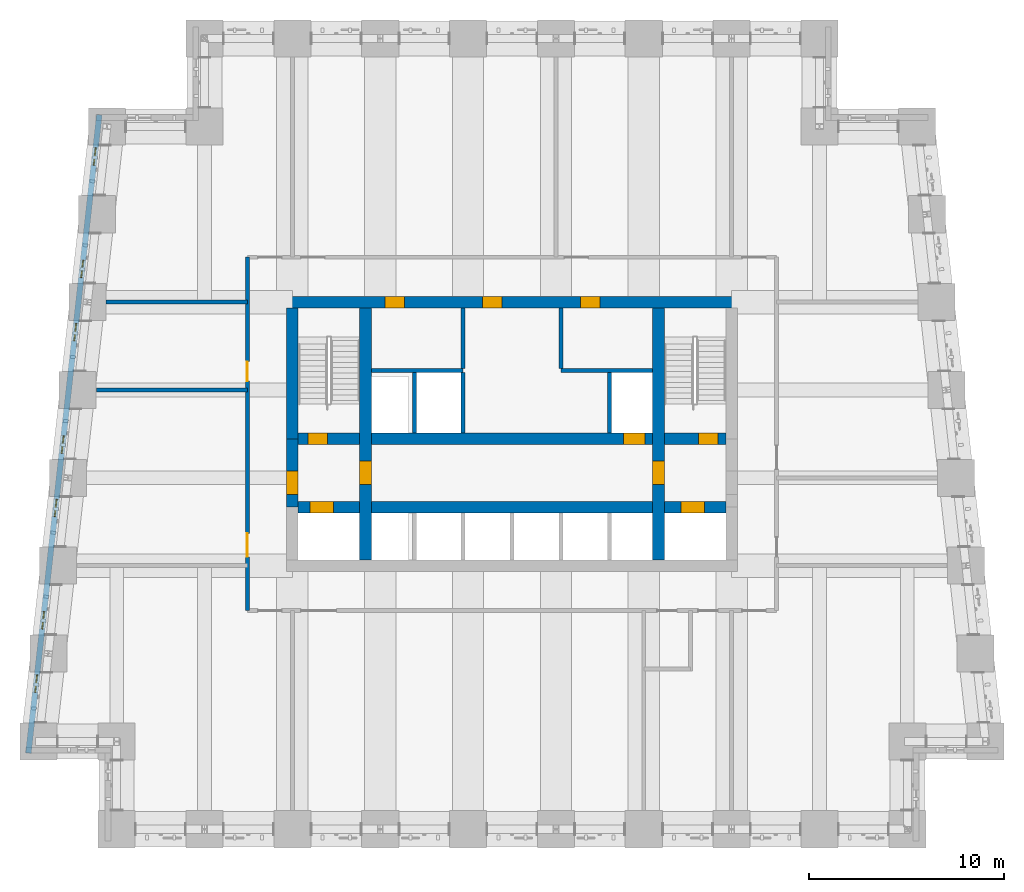
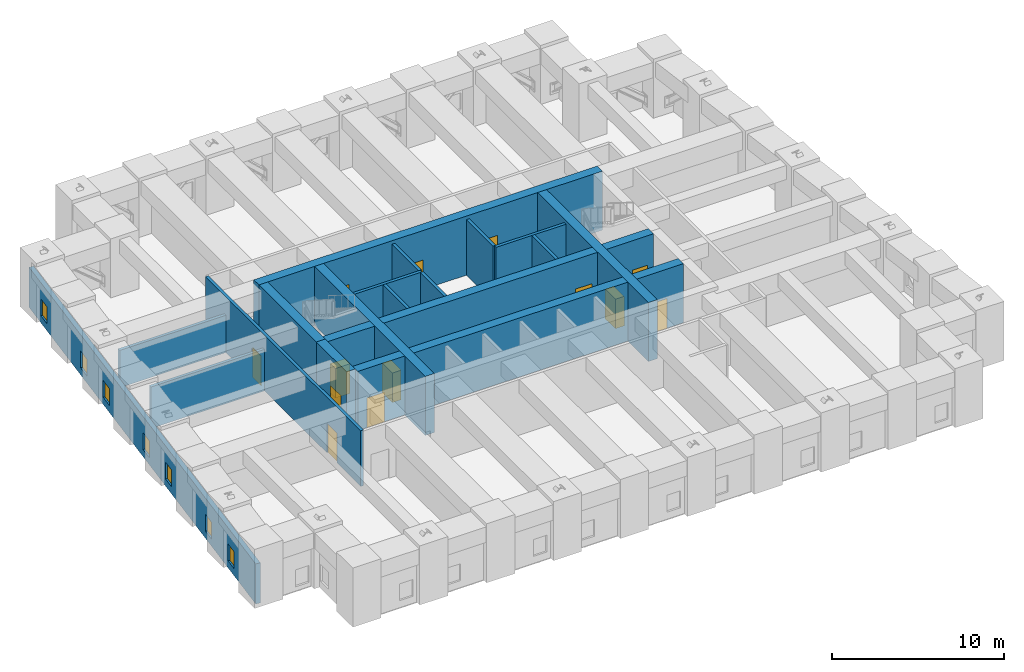
# One storey, part 3 of 16: 18 walls, 13 doors, 7 windows, 20 openings.
"""IFC4 building model written with IfcOpenShell, lengths in metres."""

from ifc_helpers import new_model, si_unit, direction, frame, frame_2d, origin, place, context, subcontext, project, spatial, rectangle, extrude, material, layer, layer_set, type_object, element, fill, save


model = new_model("IFC4")

# Units and contexts
model_context = context("Model", 3, precision=1e-05, world=origin(), true_north=direction((0.0, 1.0)))
body_context = subcontext(model_context, "Body", "Model", "MODEL_VIEW")
ifc_project = project(units=[si_unit("LENGTHUNIT", "METRE"), si_unit("AREAUNIT", "SQUARE_METRE"), si_unit("VOLUMEUNIT", "CUBIC_METRE"), si_unit("PLANEANGLEUNIT", "RADIAN"), si_unit("MASSUNIT", "GRAM", prefix="KILO")], contexts=[model_context])

# Site, building, storey
site_placement = place(None, origin())
site = spatial("IfcSite", under=ifc_project, at=site_placement, CompositionType="ELEMENT")
building_placement = place(site_placement, origin())
building = spatial("IfcBuilding", under=site, at=building_placement, Name="Kilele Tower Hotel", CompositionType="ELEMENT")
storey_placement = place(building_placement, frame((0.0, 0.0, 85.699951171875)))
storey = spatial("IfcBuildingStorey", under=building, at=storey_placement, Name="L21", CompositionType="ELEMENT", Elevation=85.699951171875)

# Wall, openings, doors
ifc_material_1 = material(Name="Concrete C60/75", Category="concrete")
ifc_layer_1 = layer(ifc_material_1, 0.60009765625)
ifc_layer_set_1 = layer_set([ifc_layer_1], Name="Concrete C60/75")
wall_type_1 = type_object("IfcWallType", Name="Core wall 600 C60/75", PredefinedType="SHEAR", material=ifc_layer_set_1)
wall_1_placement = place(storey_placement, frame((36.300048828125, 27.0, 0.0), z_axis=(0.0, 0.0, 1.0), x_axis=(-1.0, 0.0, 0.0)))
wall_1 = element("IfcWall", 1, at=wall_1_placement, inside=storey, type_object=wall_type_1, Name="Core wall N L21", PredefinedType="SHEAR", context=body_context, shape_type="SweptSolid", body=[
    extrude(rectangle(XDim=23.10009765625, YDim=0.60009765625, at=frame_2d((11.550048828125, 0.0))), origin(), (0.0, 0.0, 1.0), 4.199951171875),
])
opening_1_placement = place(wall_1_placement, frame((17.050048828125, 0.0, 0.0)))
opening_1 = element("IfcOpeningElement", 2, at=opening_1_placement, cuts=wall_1, Name="Opening D6", PredefinedType="OPENING", context=body_context, shape_type="SweptSolid", body=[
    extrude(rectangle(XDim=1.0, YDim=2.10009765625, at=frame_2d((0.5, 1.050048828125))), frame((0.0, 0.31005859375, 0.0), z_axis=(0.0, -1.0, 0.0), x_axis=(1.0, 0.0, 0.0)), (0.0, 0.0, 1.0), 0.6201171875),
])
opening_2_placement = place(wall_1_placement, frame((12.050048828125, 0.0, 0.0)))
opening_2 = element("IfcOpeningElement", 3, at=opening_2_placement, cuts=wall_1, Name="Opening D6", PredefinedType="OPENING", context=body_context, shape_type="SweptSolid", body=[
    extrude(rectangle(XDim=1.0, YDim=2.10009765625, at=frame_2d((0.5, 1.050048828125))), frame((0.0, 0.31005859375, 0.0), z_axis=(0.0, -1.0, 0.0), x_axis=(1.0, 0.0, 0.0)), (0.0, 0.0, 1.0), 0.6201171875),
])
opening_3_placement = place(wall_1_placement, frame((7.050048828125, 0.0, 0.0)))
opening_3 = element("IfcOpeningElement", 4, at=opening_3_placement, cuts=wall_1, Name="Opening D6", PredefinedType="OPENING", context=body_context, shape_type="SweptSolid", body=[
    extrude(rectangle(XDim=1.0, YDim=2.10009765625, at=frame_2d((0.5, 1.050048828125))), frame((0.0, 0.31005859375, 0.0), z_axis=(0.0, -1.0, 0.0), x_axis=(1.0, 0.0, 0.0)), (0.0, 0.0, 1.0), 0.6201171875),
])
ifc_material_2 = material(Name="Timber door leaf in hardwood frame", Category="wood")
door_type_1 = type_object("IfcDoorType", Name="Riser door 1000", OperationType="SINGLE_SWING_LEFT", PredefinedType="DOOR", material=ifc_material_2)
door_1_placement = place(opening_1_placement, origin())
door_1 = element("IfcDoor", 5, at=door_1_placement, inside=storey, type_object=door_type_1, Name="Service riser door L21", OperationType="SINGLE_SWING_RIGHT", OverallHeight=2.10009765625, OverallWidth=1.0, PredefinedType="DOOR", context=body_context, shape_type="SweptSolid", body=[
    extrude(rectangle(XDim=1.0, YDim=2.10009765625, at=frame_2d((0.5, 1.050048828125))), frame((0.0, 0.2998046875, 0.0), z_axis=(0.0, -1.0, 0.0), x_axis=(1.0, 0.0, 0.0)), (0.0, 0.0, 1.0), 0.599609375),
])
fill(opening_1, door_1)
door_2_placement = place(opening_2_placement, origin())
door_2 = element("IfcDoor", 6, at=door_2_placement, inside=storey, type_object=door_type_1, Name="Plant store door L21", OperationType="SINGLE_SWING_RIGHT", OverallHeight=2.10009765625, OverallWidth=1.0, PredefinedType="DOOR", context=body_context, shape_type="SweptSolid", body=[
    extrude(rectangle(XDim=1.0, YDim=2.10009765625, at=frame_2d((0.5, 1.050048828125))), frame((0.0, 0.2998046875, 0.0), z_axis=(0.0, -1.0, 0.0), x_axis=(1.0, 0.0, 0.0)), (0.0, 0.0, 1.0), 0.599609375),
])
fill(opening_2, door_2)
door_3_placement = place(opening_3_placement, origin())
door_3 = element("IfcDoor", 7, at=door_3_placement, inside=storey, type_object=door_type_1, Name="Electrical riser door L21", OperationType="SINGLE_SWING_RIGHT", OverallHeight=2.10009765625, OverallWidth=1.0, PredefinedType="DOOR", context=body_context, shape_type="SweptSolid", body=[
    extrude(rectangle(XDim=1.0, YDim=2.10009765625, at=frame_2d((0.5, 1.050048828125))), frame((0.0, 0.2998046875, 0.0), z_axis=(0.0, -1.0, 0.0), x_axis=(1.0, 0.0, 0.0)), (0.0, 0.0, 1.0), 0.599609375),
])
fill(opening_3, door_3)

# Wall, opening, door
wall_2_placement = place(storey_placement, frame((17.25, 13.800048828125, 0.0), z_axis=(0.0, 0.0, 1.0), x_axis=(0.0, 1.0, 0.0)))
wall_2 = element("IfcWall", 8, at=wall_2_placement, inside=storey, type_object=wall_type_1, Name="Core wall IW L21", PredefinedType="SHEAR", context=body_context, shape_type="SweptSolid", body=[
    extrude(rectangle(XDim=12.89990234375, YDim=0.60009765625, at=frame_2d((6.449951171875, 0.0))), origin(), (0.0, 0.0, 1.0), 4.199951171875),
])
opening_4_placement = place(wall_2_placement, frame((3.85009765625, 0.0, 0.0)))
opening_4 = element("IfcOpeningElement", 9, at=opening_4_placement, cuts=wall_2, Name="Opening D4", PredefinedType="OPENING", context=body_context, shape_type="SweptSolid", body=[
    extrude(rectangle(XDim=1.199951171875, YDim=2.10009765625, at=frame_2d((0.60009765625, 1.050048828125))), frame((0.0, 0.31005859375, 0.0), z_axis=(0.0, -1.0, 0.0), x_axis=(1.0, 0.0, 0.0)), (0.0, 0.0, 1.0), 0.6201171875),
])
ifc_material_3 = material(Name="Timber door leaf in hardwood frame", Category="wood")
door_type_2 = type_object("IfcDoorType", Name="Firefighting lobby door 1200", OperationType="SINGLE_SWING_LEFT", PredefinedType="DOOR", material=ifc_material_3)
door_4_placement = place(opening_4_placement, origin())
door_4 = element("IfcDoor", 10, at=door_4_placement, inside=storey, type_object=door_type_2, Name="Lobby door L21", OperationType="SINGLE_SWING_LEFT", OverallHeight=2.10009765625, OverallWidth=1.199951171875, PredefinedType="DOOR", context=body_context, shape_type="SweptSolid", body=[
    extrude(rectangle(XDim=1.199951171875, YDim=2.10009765625, at=frame_2d((0.60009765625, 1.050048828125))), frame((0.0, 0.2998046875, 0.0), z_axis=(0.0, -1.0, 0.0), x_axis=(1.0, 0.0, 0.0)), (0.0, 0.0, 1.0), 0.599609375),
])
fill(opening_4, door_4)

wall_3_placement = place(storey_placement, frame((32.25, 13.800048828125, 0.0), z_axis=(0.0, 0.0, 1.0), x_axis=(0.0, 1.0, 0.0)))
wall_3 = element("IfcWall", 11, at=wall_3_placement, inside=storey, type_object=wall_type_1, Name="Core wall IE L21", PredefinedType="SHEAR", context=body_context, shape_type="SweptSolid", body=[
    extrude(rectangle(XDim=12.89990234375, YDim=0.60009765625, at=frame_2d((6.449951171875, 0.0))), origin(), (0.0, 0.0, 1.0), 4.199951171875),
])
opening_5_placement = place(wall_3_placement, frame((5.050048828125, 0.0, 0.0), z_axis=(0.0, 0.0, 1.0), x_axis=(-1.0, 0.0, 0.0)))
opening_5 = element("IfcOpeningElement", 12, at=opening_5_placement, cuts=wall_3, Name="Opening D4", PredefinedType="OPENING", context=body_context, shape_type="SweptSolid", body=[
    extrude(rectangle(XDim=1.199951171875, YDim=2.10009765625, at=frame_2d((0.60009765625, 1.050048828125))), frame((0.0, 0.31005859375, 0.0), z_axis=(0.0, -1.0, 0.0), x_axis=(1.0, 0.0, 0.0)), (0.0, 0.0, 1.0), 0.6201171875),
])
door_5_placement = place(opening_5_placement, origin())
door_5 = element("IfcDoor", 13, at=door_5_placement, inside=storey, type_object=door_type_2, Name="Lobby door L21", OperationType="SINGLE_SWING_RIGHT", OverallHeight=2.10009765625, OverallWidth=1.199951171875, PredefinedType="DOOR", context=body_context, shape_type="SweptSolid", body=[
    extrude(rectangle(XDim=1.199951171875, YDim=2.10009765625, at=frame_2d((0.60009765625, 1.050048828125))), frame((0.0, 0.2998046875, 0.0), z_axis=(0.0, -1.0, 0.0), x_axis=(1.0, 0.0, 0.0)), (0.0, 0.0, 1.0), 0.599609375),
])
fill(opening_5, door_5)

# Wall, openings, doors
wall_4_placement = place(storey_placement, frame((13.800048828125, 16.5, 0.0), z_axis=(0.0, 0.0, 1.0), x_axis=(1.0, 0.0, 0.0)))
wall_4 = element("IfcWall", 14, at=wall_4_placement, inside=storey, type_object=wall_type_1, Name="Core wall LS L21", PredefinedType="SHEAR", context=body_context, shape_type="SweptSolid", body=[
    extrude(rectangle(XDim=21.89990234375, YDim=0.60009765625, at=frame_2d((10.949951171875, 0.0))), origin(), (0.0, 0.0, 1.0), 4.199951171875),
])
opening_6_placement = place(wall_4_placement, frame((0.60009765625, 0.0, 0.0)))
opening_6 = element("IfcOpeningElement", 15, at=opening_6_placement, cuts=wall_4, Name="Opening LD2", PredefinedType="OPENING", context=body_context, shape_type="SweptSolid", body=[
    extrude(rectangle(XDim=1.199951171875, YDim=2.10009765625, at=frame_2d((0.60009765625, 1.050048828125))), frame((0.0, 0.31005859375, 0.0), z_axis=(0.0, -1.0, 0.0), x_axis=(1.0, 0.0, 0.0)), (0.0, 0.0, 1.0), 0.6201171875),
])
opening_7_placement = place(wall_4_placement, frame((19.60009765625, 0.0, 0.0)))
opening_7 = element("IfcOpeningElement", 16, at=opening_7_placement, cuts=wall_4, Name="Opening LD2", PredefinedType="OPENING", context=body_context, shape_type="SweptSolid", body=[
    extrude(rectangle(XDim=1.199951171875, YDim=2.10009765625, at=frame_2d((0.60009765625, 1.050048828125))), frame((0.0, 0.31005859375, 0.0), z_axis=(0.0, -1.0, 0.0), x_axis=(1.0, 0.0, 0.0)), (0.0, 0.0, 1.0), 0.6201171875),
])
ifc_material_4 = material(Name="Steel lift landing door", Category="steel")
door_type_3 = type_object("IfcDoorType", Name="Firefighting lift landing door 1200", OperationType="SLIDING_TO_LEFT", PredefinedType="DOOR", material=ifc_material_4)
door_6_placement = place(opening_6_placement, origin())
door_6 = element("IfcDoor", 17, at=door_6_placement, inside=storey, type_object=door_type_3, Name="Landing door FFW L21", OperationType="SLIDING_TO_LEFT", OverallHeight=2.10009765625, OverallWidth=1.199951171875, PredefinedType="DOOR", context=body_context, shape_type="SweptSolid", body=[
    extrude(rectangle(XDim=1.199951171875, YDim=2.10009765625, at=frame_2d((0.60009765625, 1.050048828125))), frame((0.0, 0.2998046875, 0.0), z_axis=(0.0, -1.0, 0.0), x_axis=(1.0, 0.0, 0.0)), (0.0, 0.0, 1.0), 0.599609375),
])
fill(opening_6, door_6)
door_7_placement = place(opening_7_placement, origin())
door_7 = element("IfcDoor", 18, at=door_7_placement, inside=storey, type_object=door_type_3, Name="Landing door FFE L21", OperationType="SLIDING_TO_LEFT", OverallHeight=2.10009765625, OverallWidth=1.199951171875, PredefinedType="DOOR", context=body_context, shape_type="SweptSolid", body=[
    extrude(rectangle(XDim=1.199951171875, YDim=2.10009765625, at=frame_2d((0.60009765625, 1.050048828125))), frame((0.0, 0.2998046875, 0.0), z_axis=(0.0, -1.0, 0.0), x_axis=(1.0, 0.0, 0.0)), (0.0, 0.0, 1.0), 0.599609375),
])
fill(opening_7, door_7)

wall_5_placement = place(storey_placement, frame((13.800048828125, 20.0, 0.0), z_axis=(0.0, 0.0, 1.0), x_axis=(1.0, 0.0, 0.0)))
wall_5 = element("IfcWall", 19, at=wall_5_placement, inside=storey, type_object=wall_type_1, Name="Core wall LN L21", PredefinedType="SHEAR", context=body_context, shape_type="SweptSolid", body=[
    extrude(rectangle(XDim=21.89990234375, YDim=0.60009765625, at=frame_2d((10.949951171875, 0.0))), origin(), (0.0, 0.0, 1.0), 4.199951171875),
])
opening_8_placement = place(wall_5_placement, frame((0.5, 0.0, 0.0)))
opening_8 = element("IfcOpeningElement", 20, at=opening_8_placement, cuts=wall_5, Name="Opening D5", PredefinedType="OPENING", context=body_context, shape_type="SweptSolid", body=[
    extrude(rectangle(XDim=1.0, YDim=2.10009765625, at=frame_2d((0.5, 1.050048828125))), frame((0.0, 0.31005859375, 0.0), z_axis=(0.0, -1.0, 0.0), x_axis=(1.0, 0.0, 0.0)), (0.0, 0.0, 1.0), 0.6201171875),
])
opening_9_placement = place(wall_5_placement, frame((20.5, 0.0, 0.0)))
opening_9 = element("IfcOpeningElement", 21, at=opening_9_placement, cuts=wall_5, Name="Opening D5", PredefinedType="OPENING", context=body_context, shape_type="SweptSolid", body=[
    extrude(rectangle(XDim=1.0, YDim=2.10009765625, at=frame_2d((0.5, 1.050048828125))), frame((0.0, 0.31005859375, 0.0), z_axis=(0.0, -1.0, 0.0), x_axis=(1.0, 0.0, 0.0)), (0.0, 0.0, 1.0), 0.6201171875),
])
opening_10_placement = place(wall_5_placement, frame((16.64990234375, 0.0, 0.0)))
opening_10 = element("IfcOpeningElement", 22, at=opening_10_placement, cuts=wall_5, Name="Opening LD1", PredefinedType="OPENING", context=body_context, shape_type="SweptSolid", body=[
    extrude(rectangle(XDim=1.10009765625, YDim=2.10009765625, at=frame_2d((0.550048828125, 1.050048828125))), frame((0.0, 0.31005859375, 0.0), z_axis=(0.0, -1.0, 0.0), x_axis=(1.0, 0.0, 0.0)), (0.0, 0.0, 1.0), 0.6201171875),
])
ifc_material_5 = material(Name="Steel lift landing door", Category="steel")
door_type_4 = type_object("IfcDoorType", Name="Lift landing door 1100", OperationType="SLIDING_TO_LEFT", PredefinedType="DOOR", material=ifc_material_5)
door_8_placement = place(opening_10_placement, origin())
door_8 = element("IfcDoor", 23, at=door_8_placement, inside=storey, type_object=door_type_4, Name="Landing door G1 L21", OperationType="SLIDING_TO_LEFT", OverallHeight=2.10009765625, OverallWidth=1.10009765625, PredefinedType="DOOR", context=body_context, shape_type="SweptSolid", body=[
    extrude(rectangle(XDim=1.10009765625, YDim=2.10009765625, at=frame_2d((0.550048828125, 1.050048828125))), frame((0.0, 0.2998046875, 0.0), z_axis=(0.0, -1.0, 0.0), x_axis=(1.0, 0.0, 0.0)), (0.0, 0.0, 1.0), 0.599609375),
])
fill(opening_10, door_8)
ifc_material_6 = material(Name="Timber door leaf in hardwood frame", Category="wood")
door_type_5 = type_object("IfcDoorType", Name="Stair door 1000", OperationType="SINGLE_SWING_LEFT", PredefinedType="DOOR", material=ifc_material_6)
door_9_placement = place(opening_8_placement, origin())
door_9 = element("IfcDoor", 24, at=door_9_placement, inside=storey, type_object=door_type_5, Name="Stair 1 door L21", OperationType="SINGLE_SWING_LEFT", OverallHeight=2.10009765625, OverallWidth=1.0, PredefinedType="DOOR", context=body_context, shape_type="SweptSolid", body=[
    extrude(rectangle(XDim=1.0, YDim=2.10009765625, at=frame_2d((0.5, 1.050048828125))), frame((0.0, 0.2998046875, 0.0), z_axis=(0.0, -1.0, 0.0), x_axis=(1.0, 0.0, 0.0)), (0.0, 0.0, 1.0), 0.599609375),
])
fill(opening_8, door_9)
door_10_placement = place(opening_9_placement, origin())
door_10 = element("IfcDoor", 25, at=door_10_placement, inside=storey, type_object=door_type_5, Name="Stair 2 door L21", OperationType="SINGLE_SWING_RIGHT", OverallHeight=2.10009765625, OverallWidth=1.0, PredefinedType="DOOR", context=body_context, shape_type="SweptSolid", body=[
    extrude(rectangle(XDim=1.0, YDim=2.10009765625, at=frame_2d((0.5, 1.050048828125))), frame((0.0, 0.2998046875, 0.0), z_axis=(0.0, -1.0, 0.0), x_axis=(1.0, 0.0, 0.0)), (0.0, 0.0, 1.0), 0.599609375),
])
fill(opening_9, door_10)

# Wall
wall_6_placement = place(storey_placement, frame((13.5, 26.699951171875, 0.0), z_axis=(0.0, 0.0, 1.0), x_axis=(0.0, -1.0, 0.0)))
element("IfcWall", 26, at=wall_6_placement, inside=storey, type_object=wall_type_1, Name="Core wall W1 L21", PredefinedType="SHEAR", context=body_context, shape_type="SweptSolid", body=[
    extrude(rectangle(XDim=6.699951171875, YDim=0.60009765625, at=frame_2d((3.35009765625, 0.0))), origin(), (0.0, 0.0, 1.0), 4.199951171875),
])

# Wall, opening, door
wall_7_placement = place(storey_placement, frame((13.5, 20.0, 0.0), z_axis=(0.0, 0.0, 1.0), x_axis=(0.0, -1.0, 0.0)))
wall_7 = element("IfcWall", 27, at=wall_7_placement, inside=storey, type_object=wall_type_1, Name="Core wall W2 L21", PredefinedType="SHEAR", context=body_context, shape_type="SweptSolid", body=[
    extrude(rectangle(XDim=3.5, YDim=0.60009765625, at=frame_2d((1.75, 0.0))), origin(), (0.0, 0.0, 1.0), 4.199951171875),
])
opening_11_placement = place(wall_7_placement, frame((1.64990234375, 0.0, 0.0)))
opening_11 = element("IfcOpeningElement", 28, at=opening_11_placement, cuts=wall_7, Name="Opening D4", PredefinedType="OPENING", context=body_context, shape_type="SweptSolid", body=[
    extrude(rectangle(XDim=1.199951171875, YDim=2.10009765625, at=frame_2d((0.60009765625, 1.050048828125))), frame((0.0, 0.31005859375, 0.0), z_axis=(0.0, -1.0, 0.0), x_axis=(1.0, 0.0, 0.0)), (0.0, 0.0, 1.0), 0.6201171875),
])
door_11_placement = place(opening_11_placement, origin())
door_11 = element("IfcDoor", 29, at=door_11_placement, inside=storey, type_object=door_type_2, Name="Lobby door L21", OperationType="SINGLE_SWING_RIGHT", OverallHeight=2.10009765625, OverallWidth=1.199951171875, PredefinedType="DOOR", context=body_context, shape_type="SweptSolid", body=[
    extrude(rectangle(XDim=1.199951171875, YDim=2.10009765625, at=frame_2d((0.60009765625, 1.050048828125))), frame((0.0, 0.2998046875, 0.0), z_axis=(0.0, -1.0, 0.0), x_axis=(1.0, 0.0, 0.0)), (0.0, 0.0, 1.0), 0.599609375),
])
fill(opening_11, door_11)

# Wall, openings, doors
ifc_material_7 = material(Name="Blockwork, plastered both sides", Category="masonry")
ifc_layer_2 = layer(ifc_material_7, 0.199951171875)
ifc_layer_set_2 = layer_set([ifc_layer_2], Name="Blockwork, plastered both sides")
wall_type_2 = type_object("IfcWallType", Name="Corridor wall 200", PredefinedType="PARTITIONING", material=ifc_layer_set_2)
wall_8_placement = place(storey_placement, frame((11.199951171875, 11.199951171875, 0.0), z_axis=(0.0, 0.0, 1.0), x_axis=(0.0, 1.0, 0.0)))
wall_8 = element("IfcWall", 30, at=wall_8_placement, inside=storey, type_object=wall_type_2, Name="Corridor wall 200 L21", PredefinedType="PARTITIONING", context=body_context, shape_type="SweptSolid", body=[
    extrude(rectangle(XDim=18.10009765625, YDim=0.199951171875, at=frame_2d((9.050048828125, 0.0))), origin(), (0.0, 0.0, 1.0), 3.949951171875),
])
opening_12_placement = place(wall_8_placement, frame((2.75, 0.0, 0.0)))
opening_12 = element("IfcOpeningElement", 31, at=opening_12_placement, cuts=wall_8, Name="Opening D7A", PredefinedType="OPENING", context=body_context, shape_type="SweptSolid", body=[
    extrude(rectangle(XDim=1.199951171875, YDim=2.10009765625, at=frame_2d((0.60009765625, 1.050048828125))), frame((0.0, 0.10986328125, 0.0), z_axis=(0.0, -1.0, 0.0), x_axis=(1.0, 0.0, 0.0)), (0.0, 0.0, 1.0), 0.219970703125),
])
opening_13_placement = place(wall_8_placement, frame((11.75, 0.0, 0.0)))
opening_13 = element("IfcOpeningElement", 32, at=opening_13_placement, cuts=wall_8, Name="Opening D7", PredefinedType="OPENING", context=body_context, shape_type="SweptSolid", body=[
    extrude(rectangle(XDim=1.0, YDim=2.10009765625, at=frame_2d((0.5, 1.050048828125))), frame((0.0, 0.10986328125, 0.0), z_axis=(0.0, -1.0, 0.0), x_axis=(1.0, 0.0, 0.0)), (0.0, 0.0, 1.0), 0.219970703125),
])
ifc_material_8 = material(Name="Timber door leaf in hardwood frame", Category="wood")
door_type_6 = type_object("IfcDoorType", Name="Plant room door 1000", OperationType="SINGLE_SWING_LEFT", PredefinedType="DOOR", material=ifc_material_8)
door_12_placement = place(opening_13_placement, origin())
door_12 = element("IfcDoor", 33, at=door_12_placement, inside=storey, type_object=door_type_6, Name="Door Stair pressurisation fan room 2109", OperationType="SINGLE_SWING_LEFT", OverallHeight=2.10009765625, OverallWidth=1.0, PredefinedType="DOOR", context=body_context, shape_type="SweptSolid", body=[
    extrude(rectangle(XDim=1.0, YDim=2.10009765625, at=frame_2d((0.5, 1.050048828125))), frame((0.0, 0.02490234375, 0.0), z_axis=(0.0, -1.0, 0.0), x_axis=(1.0, 0.0, 0.0)), (0.0, 0.0, 1.0), 0.050048828125),
])
fill(opening_13, door_12)
ifc_material_9 = material(Name="Timber door leaf in hardwood frame", Category="wood")
door_type_7 = type_object("IfcDoorType", Name="Plant room door 1200", OperationType="SINGLE_SWING_LEFT", PredefinedType="DOOR", material=ifc_material_9)
door_13_placement = place(opening_12_placement, origin())
door_13 = element("IfcDoor", 34, at=door_13_placement, inside=storey, type_object=door_type_7, Name="Door Low-zone water tank room 2108", OperationType="SINGLE_SWING_LEFT", OverallHeight=2.10009765625, OverallWidth=1.199951171875, PredefinedType="DOOR", context=body_context, shape_type="SweptSolid", body=[
    extrude(rectangle(XDim=1.199951171875, YDim=2.10009765625, at=frame_2d((0.60009765625, 1.050048828125))), frame((0.0, 0.02490234375, 0.0), z_axis=(0.0, -1.0, 0.0), x_axis=(1.0, 0.0, 0.0)), (0.0, 0.0, 1.0), 0.050048828125),
])
fill(opening_12, door_13)

# Walls
ifc_material_10 = material(Name="Blockwork, plastered both sides", Category="masonry")
ifc_layer_3 = layer(ifc_material_10, 0.199951171875)
ifc_layer_set_3 = layer_set([ifc_layer_3], Name="Blockwork, plastered both sides")
wall_type_3 = type_object("IfcWallType", Name="Partition wall 200", PredefinedType="PARTITIONING", material=ifc_layer_set_3)
wall_9_placement = place(storey_placement, frame((11.199951171875, 22.5, 0.0), z_axis=(0.0, 0.0, 1.0), x_axis=(-1.0, 0.0, 0.0)))
element("IfcWall", 35, at=wall_9_placement, inside=storey, type_object=wall_type_3, Name="Partition wall 200 L21", PredefinedType="PARTITIONING", context=body_context, shape_type="SweptSolid", body=[
    extrude(rectangle(XDim=7.739013671875, YDim=0.199951171875, at=frame_2d((3.86962890625, 0.0))), origin(), (0.0, 0.0, 1.0), 2.949951171875),
])
wall_10_placement = place(storey_placement, frame((11.199951171875, 27.0, 0.0), z_axis=(0.0, 0.0, 1.0), x_axis=(-1.0, 0.0, 0.0)))
element("IfcWall", 36, at=wall_10_placement, inside=storey, type_object=wall_type_3, Name="Partition wall 200 L21", PredefinedType="PARTITIONING", context=body_context, shape_type="SweptSolid", body=[
    extrude(rectangle(XDim=7.239013671875, YDim=0.199951171875, at=frame_2d((3.61962890625, 0.0))), origin(), (0.0, 0.0, 1.0), 2.650146484375),
])

# Wall, openings, windows
ifc_material_11 = material(Name="Concrete C40/50 precast", Category="concrete")
ifc_layer_4 = layer(ifc_material_11, 0.260009765625, Name="Precast backing", Category="LoadBearing")
ifc_material_12 = material(Name="Reconstituted stone finish", Category="masonry")
ifc_layer_5 = layer(ifc_material_12, 0.0400390625, Name="Face mix", Category="Finish")
ifc_layer_set_4 = layer_set([ifc_layer_4, ifc_layer_5], Name="Precast concrete C40/50, reconstituted stone finish")
wall_type_4 = type_object("IfcWallType", Name="Precast stone facade wall 300", PredefinedType="STANDARD", material=ifc_layer_set_4)
wall_11_placement = place(storey_placement, frame((3.61376953125, 36.59912109375, 0.0), z_axis=(0.0, 0.0, 1.0), x_axis=(-0.110429082637, -0.993884006164, 0.0)))
wall_11 = element("IfcWall", 37, at=wall_11_placement, inside=storey, type_object=wall_type_4, Name="Facade wall L21 edge 12", PredefinedType="STANDARD", context=body_context, shape_type="SweptSolid", body=[
    extrude(rectangle(XDim=32.8994140625, YDim=0.300048828125, at=frame_2d((16.44970703125, 0.0))), origin(), (0.0, 0.0, 1.0), 2.85009765625),
])
opening_14_placement = place(wall_11_placement, frame((1.702880859375, 0.0, 0.5)))
opening_14 = element("IfcOpeningElement", 38, at=opening_14_placement, cuts=wall_11, Name="Opening LV1", PredefinedType="OPENING", context=body_context, shape_type="SweptSolid", body=[
    extrude(rectangle(XDim=0.89990234375, YDim=1.199951171875, at=frame_2d((0.449951171875, 0.60009765625))), frame((0.0, 0.159912109375, 0.0), z_axis=(0.0, -1.0, 0.0), x_axis=(1.0, 0.0, 0.0)), (0.0, 0.0, 1.0), 0.320068359375),
])
opening_15_placement = place(wall_11_placement, frame((7.494873046875, 0.0, 0.5)))
opening_15 = element("IfcOpeningElement", 39, at=opening_15_placement, cuts=wall_11, Name="Opening LV1", PredefinedType="OPENING", context=body_context, shape_type="SweptSolid", body=[
    extrude(rectangle(XDim=0.89990234375, YDim=1.199951171875, at=frame_2d((0.449951171875, 0.60009765625))), frame((0.0, 0.159912109375, 0.0), z_axis=(0.0, -1.0, 0.0), x_axis=(1.0, 0.0, 0.0)), (0.0, 0.0, 1.0), 0.320068359375),
])
opening_16_placement = place(wall_11_placement, frame((10.7578125, 0.0, 0.5)))
opening_16 = element("IfcOpeningElement", 40, at=opening_16_placement, cuts=wall_11, Name="Opening LV1", PredefinedType="OPENING", context=body_context, shape_type="SweptSolid", body=[
    extrude(rectangle(XDim=0.89990234375, YDim=1.199951171875, at=frame_2d((0.449951171875, 0.60009765625))), frame((0.0, 0.159912109375, 0.0), z_axis=(0.0, -1.0, 0.0), x_axis=(1.0, 0.0, 0.0)), (0.0, 0.0, 1.0), 0.320068359375),
])
opening_17_placement = place(wall_11_placement, frame((16.5498046875, 0.0, 0.5)))
opening_17 = element("IfcOpeningElement", 41, at=opening_17_placement, cuts=wall_11, Name="Opening LV1", PredefinedType="OPENING", context=body_context, shape_type="SweptSolid", body=[
    extrude(rectangle(XDim=0.89990234375, YDim=1.199951171875, at=frame_2d((0.449951171875, 0.60009765625))), frame((0.0, 0.159912109375, 0.0), z_axis=(0.0, -1.0, 0.0), x_axis=(1.0, 0.0, 0.0)), (0.0, 0.0, 1.0), 0.320068359375),
])
opening_18_placement = place(wall_11_placement, frame((19.813720703125, 0.0, 0.5)))
opening_18 = element("IfcOpeningElement", 42, at=opening_18_placement, cuts=wall_11, Name="Opening LV1", PredefinedType="OPENING", context=body_context, shape_type="SweptSolid", body=[
    extrude(rectangle(XDim=0.89990234375, YDim=1.199951171875, at=frame_2d((0.449951171875, 0.60009765625))), frame((0.0, 0.159912109375, 0.0), z_axis=(0.0, -1.0, 0.0), x_axis=(1.0, 0.0, 0.0)), (0.0, 0.0, 1.0), 0.320068359375),
])
opening_19_placement = place(wall_11_placement, frame((25.604736328125, 0.0, 0.5)))
opening_19 = element("IfcOpeningElement", 43, at=opening_19_placement, cuts=wall_11, Name="Opening LV1", PredefinedType="OPENING", context=body_context, shape_type="SweptSolid", body=[
    extrude(rectangle(XDim=0.89990234375, YDim=1.199951171875, at=frame_2d((0.449951171875, 0.60009765625))), frame((0.0, 0.159912109375, 0.0), z_axis=(0.0, -1.0, 0.0), x_axis=(1.0, 0.0, 0.0)), (0.0, 0.0, 1.0), 0.320068359375),
])
opening_20_placement = place(wall_11_placement, frame((28.868896484375, 0.0, 0.5)))
opening_20 = element("IfcOpeningElement", 44, at=opening_20_placement, cuts=wall_11, Name="Opening LV1", PredefinedType="OPENING", context=body_context, shape_type="SweptSolid", body=[
    extrude(rectangle(XDim=0.89990234375, YDim=1.199951171875, at=frame_2d((0.449951171875, 0.60009765625))), frame((0.0, 0.159912109375, 0.0), z_axis=(0.0, -1.0, 0.0), x_axis=(1.0, 0.0, 0.0)), (0.0, 0.0, 1.0), 0.320068359375),
])
ifc_material_13 = material(Name="Aluminium weather louvre with insect mesh", Category="aluminium")
window_type = type_object("IfcWindowType", Name="Ventilation louvre 900 x 1200", PartitioningType="SINGLE_PANEL", PredefinedType="USERDEFINED", material=ifc_material_13)
window_1_placement = place(opening_14_placement, origin())
window_1 = element("IfcWindow", 45, at=window_1_placement, inside=storey, type_object=window_type, Name="Louvre L21", ObjectType="LOUVRE", OverallHeight=1.199951171875, OverallWidth=0.89990234375, PartitioningType="SINGLE_PANEL", PredefinedType="USERDEFINED", context=body_context, shape_type="SweptSolid", body=[
    extrude(rectangle(XDim=0.89990234375, YDim=1.199951171875, at=frame_2d((0.449951171875, 0.60009765625))), frame((0.0, 0.030029296875, 0.0), z_axis=(0.0, -1.0, 0.0), x_axis=(1.0, 0.0, 0.0)), (0.0, 0.0, 1.0), 0.06005859375),
])
fill(opening_14, window_1)
window_2_placement = place(opening_15_placement, origin())
window_2 = element("IfcWindow", 46, at=window_2_placement, inside=storey, type_object=window_type, Name="Louvre L21", ObjectType="LOUVRE", OverallHeight=1.199951171875, OverallWidth=0.89990234375, PartitioningType="SINGLE_PANEL", PredefinedType="USERDEFINED", context=body_context, shape_type="SweptSolid", body=[
    extrude(rectangle(XDim=0.89990234375, YDim=1.199951171875, at=frame_2d((0.449951171875, 0.60009765625))), frame((0.0, 0.030029296875, 0.0), z_axis=(0.0, -1.0, 0.0), x_axis=(1.0, 0.0, 0.0)), (0.0, 0.0, 1.0), 0.06005859375),
])
fill(opening_15, window_2)
window_3_placement = place(opening_16_placement, origin())
window_3 = element("IfcWindow", 47, at=window_3_placement, inside=storey, type_object=window_type, Name="Louvre L21", ObjectType="LOUVRE", OverallHeight=1.199951171875, OverallWidth=0.89990234375, PartitioningType="SINGLE_PANEL", PredefinedType="USERDEFINED", context=body_context, shape_type="SweptSolid", body=[
    extrude(rectangle(XDim=0.89990234375, YDim=1.199951171875, at=frame_2d((0.449951171875, 0.60009765625))), frame((0.0, 0.030029296875, 0.0), z_axis=(0.0, -1.0, 0.0), x_axis=(1.0, 0.0, 0.0)), (0.0, 0.0, 1.0), 0.06005859375),
])
fill(opening_16, window_3)
window_4_placement = place(opening_17_placement, origin())
window_4 = element("IfcWindow", 48, at=window_4_placement, inside=storey, type_object=window_type, Name="Louvre L21", ObjectType="LOUVRE", OverallHeight=1.199951171875, OverallWidth=0.89990234375, PartitioningType="SINGLE_PANEL", PredefinedType="USERDEFINED", context=body_context, shape_type="SweptSolid", body=[
    extrude(rectangle(XDim=0.89990234375, YDim=1.199951171875, at=frame_2d((0.449951171875, 0.60009765625))), frame((0.0, 0.030029296875, 0.0), z_axis=(0.0, -1.0, 0.0), x_axis=(1.0, 0.0, 0.0)), (0.0, 0.0, 1.0), 0.06005859375),
])
fill(opening_17, window_4)
window_5_placement = place(opening_18_placement, origin())
window_5 = element("IfcWindow", 49, at=window_5_placement, inside=storey, type_object=window_type, Name="Louvre L21", ObjectType="LOUVRE", OverallHeight=1.199951171875, OverallWidth=0.89990234375, PartitioningType="SINGLE_PANEL", PredefinedType="USERDEFINED", context=body_context, shape_type="SweptSolid", body=[
    extrude(rectangle(XDim=0.89990234375, YDim=1.199951171875, at=frame_2d((0.449951171875, 0.60009765625))), frame((0.0, 0.030029296875, 0.0), z_axis=(0.0, -1.0, 0.0), x_axis=(1.0, 0.0, 0.0)), (0.0, 0.0, 1.0), 0.06005859375),
])
fill(opening_18, window_5)
window_6_placement = place(opening_19_placement, origin())
window_6 = element("IfcWindow", 50, at=window_6_placement, inside=storey, type_object=window_type, Name="Louvre L21", ObjectType="LOUVRE", OverallHeight=1.199951171875, OverallWidth=0.89990234375, PartitioningType="SINGLE_PANEL", PredefinedType="USERDEFINED", context=body_context, shape_type="SweptSolid", body=[
    extrude(rectangle(XDim=0.89990234375, YDim=1.199951171875, at=frame_2d((0.449951171875, 0.60009765625))), frame((0.0, 0.030029296875, 0.0), z_axis=(0.0, -1.0, 0.0), x_axis=(1.0, 0.0, 0.0)), (0.0, 0.0, 1.0), 0.06005859375),
])
fill(opening_19, window_6)
window_7_placement = place(opening_20_placement, origin())
window_7 = element("IfcWindow", 51, at=window_7_placement, inside=storey, type_object=window_type, Name="Louvre L21", ObjectType="LOUVRE", OverallHeight=1.199951171875, OverallWidth=0.89990234375, PartitioningType="SINGLE_PANEL", PredefinedType="USERDEFINED", context=body_context, shape_type="SweptSolid", body=[
    extrude(rectangle(XDim=0.89990234375, YDim=1.199951171875, at=frame_2d((0.449951171875, 0.60009765625))), frame((0.0, 0.030029296875, 0.0), z_axis=(0.0, -1.0, 0.0), x_axis=(1.0, 0.0, 0.0)), (0.0, 0.0, 1.0), 0.06005859375),
])
fill(opening_20, window_7)

# Walls
ifc_material_14 = material(Name="Blockwork, fire-rated", Category="masonry")
ifc_layer_6 = layer(ifc_material_14, 0.199951171875)
ifc_layer_set_5 = layer_set([ifc_layer_6], Name="Blockwork, fire-rated")
wall_type_5 = type_object("IfcWallType", Name="Shaft wall 200", PredefinedType="PARTITIONING", material=ifc_layer_set_5)
for number, where, z_axis, x_axis, name in (
    (52, (19.75, 20.300048828125, 0.0), (0.0, 0.0, 1.0), (0.0, 1.0, 0.0), "Shaft wall 200 L21"),
    (53, (22.25, 20.300048828125, 0.0), (0.0, 0.0, 1.0), (0.0, 1.0, 0.0), "Shaft wall 200 L21"),
    (54, (29.75, 20.300048828125, 0.0), (0.0, 0.0, 1.0), (0.0, 1.0, 0.0), "Shaft wall 200 L21"),
):
    element("IfcWall", number, at=place(storey_placement, frame(where, z_axis=z_axis, x_axis=x_axis)), inside=storey, type_object=wall_type_5, Name=name, PredefinedType="PARTITIONING", context=body_context, shape_type="SweptSolid", body=[
        extrude(rectangle(XDim=3.099853515625, YDim=0.199951171875, at=frame_2d((1.5498046875, 0.0))), origin(), (0.0, 0.0, 1.0), 3.949951171875),
    ])
for number, where, z_axis, x_axis, name in (
    (55, (17.550048828125, 23.5, 0.0), (0.0, 0.0, 1.0), (1.0, 0.0, 0.0), "Shaft wall 200 L21"),
    (56, (27.25, 23.5, 0.0), (0.0, 0.0, 1.0), (1.0, 0.0, 0.0), "Shaft wall 200 L21"),
):
    element("IfcWall", number, at=place(storey_placement, frame(where, z_axis=z_axis, x_axis=x_axis)), inside=storey, type_object=wall_type_5, Name=name, PredefinedType="PARTITIONING", context=body_context, shape_type="SweptSolid", body=[
        extrude(rectangle(XDim=4.699951171875, YDim=0.199951171875, at=frame_2d((2.35009765625, 0.0))), origin(), (0.0, 0.0, 1.0), 3.949951171875),
    ])
for number, where, z_axis, x_axis, name in (
    (57, (22.25, 23.60009765625, 0.0), (0.0, 0.0, 1.0), (0.0, 1.0, 0.0), "Shaft wall 200 L21"),
    (58, (27.25, 23.60009765625, 0.0), (0.0, 0.0, 1.0), (0.0, 1.0, 0.0), "Shaft wall 200 L21"),
):
    element("IfcWall", number, at=place(storey_placement, frame(where, z_axis=z_axis, x_axis=x_axis)), inside=storey, type_object=wall_type_5, Name=name, PredefinedType="PARTITIONING", context=body_context, shape_type="SweptSolid", body=[
        extrude(rectangle(XDim=3.099853515625, YDim=0.199951171875, at=frame_2d((1.5498046875, 0.0))), origin(), (0.0, 0.0, 1.0), 3.949951171875),
    ])

save(model, "model.ifc")
